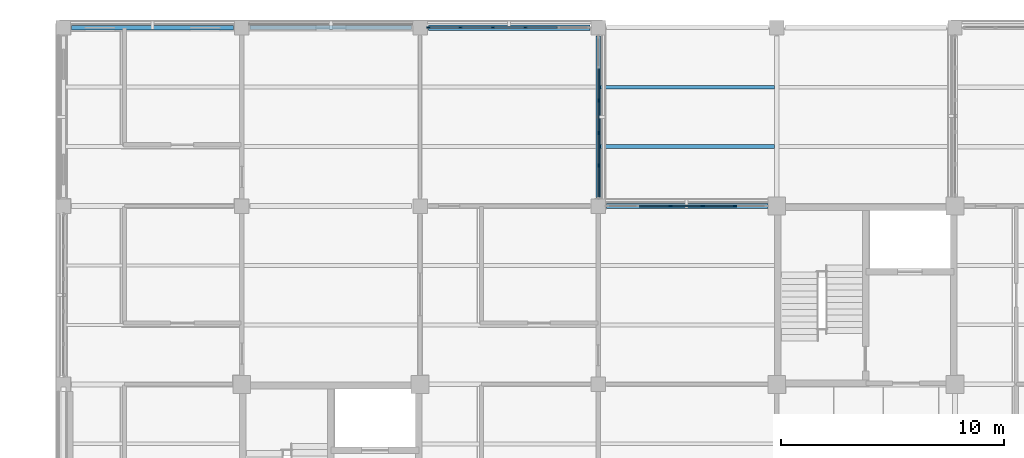
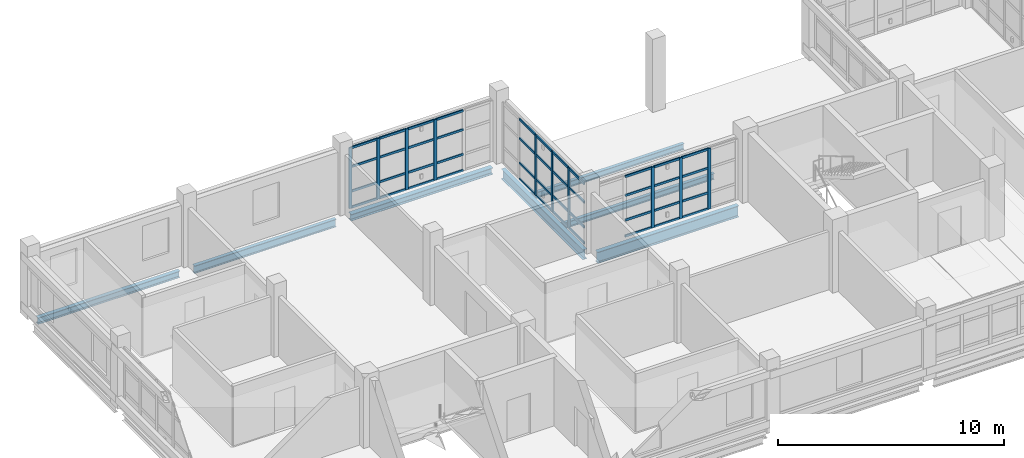
# One storey, part 36 of 126: 54 members, 7 beams, 3 elements without a shape of their own.
"""IFC4 building model written with IfcOpenShell, lengths in metres."""

from ifc_helpers import new_model, si_unit, derived_unit, direction, frame, origin, origin_2d, place, context, subcontext, project, spatial, rectangle, i_section, extrude, material, layer, layer_set, material_profile, profile_set, type_object, element, aggregate, save


model = new_model("IFC4")

# Units and contexts
model_context = context("Model", 3, precision=1e-05, world=origin(), true_north=direction((0.0, 1.0)))
body_context = subcontext(model_context, "Body", "Model", "MODEL_VIEW")
ifc_project = project(units=[si_unit("LENGTHUNIT", "METRE"), si_unit("AREAUNIT", "SQUARE_METRE"), si_unit("VOLUMEUNIT", "CUBIC_METRE"), si_unit("PLANEANGLEUNIT", "RADIAN"), si_unit("MASSUNIT", "GRAM", prefix="KILO"), derived_unit("THERMALTRANSMITTANCEUNIT", [(si_unit("MASSUNIT", "GRAM", prefix="KILO"), 1), (si_unit("TIMEUNIT", "SECOND"), -3), (si_unit("THERMODYNAMICTEMPERATUREUNIT", "KELVIN"), -1)])], contexts=[model_context])

# Site, building, storey
site_placement = place(None, origin())
site = spatial("IfcSite", under=ifc_project, at=site_placement, CompositionType="ELEMENT")
building_placement = place(site_placement, origin())
building = spatial("IfcBuilding", under=site, at=building_placement, Name="Veyamyaing Civic Hall", CompositionType="ELEMENT")
storey_placement = place(building_placement, frame((0.0, 0.0, 9.89990234375)))
storey = spatial("IfcBuildingStorey", under=building, at=storey_placement, Name="L02", CompositionType="ELEMENT", Elevation=9.89990234375)

# Beams
ifc_material_1 = material(Name="Steel ASTM A992", Category="steel")
ifc_material_profile_1 = material_profile(ifc_material_1, i_section(OverallWidth=0.22802734375, OverallDepth=0.60791015625, WebThickness=0.01123046875, FlangeThickness=0.017333984375, FilletRadius=0.012939453125, at=origin_2d()), Name="W610X113")
ifc_profile_set_1 = profile_set([ifc_material_profile_1], Name="Steel ASTM A992")
beam_type_1 = type_object("IfcBeamType", Name="B-06", PredefinedType="BEAM", material=ifc_profile_set_1)
beam_1_placement = place(storey_placement, frame((24.375, 104.0, -0.5888671875), z_axis=(1.0, 0.0, 0.0), x_axis=(0.0, 1.0, 0.0)))
element("IfcBeam", 1, at=beam_1_placement, inside=storey, type_object=beam_type_1, Name="Girder B-06 L02 Grid P 4-5", PredefinedType="BEAM", context=body_context, shape_type="SweptSolid", body=[
    extrude(i_section(OverallWidth=0.22802734375, OverallDepth=0.60791015625, WebThickness=0.01123046875, FlangeThickness=0.017333984375, FilletRadius=0.012939453125, at=origin_2d()), origin(), (0.0, 0.0, 1.0), 7.22509765625),
])
ifc_material_profile_2 = material_profile(ifc_material_1, i_section(OverallWidth=0.208984375, OverallDepth=0.532958984375, WebThickness=0.01025390625, FlangeThickness=0.015625, FilletRadius=0.011962890625, at=origin_2d()), Name="W530X92")
ifc_profile_set_2 = profile_set([ifc_material_profile_2], Name="Steel ASTM A992")
beam_type_2 = type_object("IfcBeamType", Name="B-07", PredefinedType="BEAM", material=ifc_profile_set_2)
beam_2_placement = place(storey_placement, frame((24.0, 104.375, -0.551513671875), z_axis=(0.0, 1.0, 0.0), x_axis=(-1.0, 0.0, 0.0)))
element("IfcBeam", 2, at=beam_2_placement, inside=storey, type_object=beam_type_2, Name="Girder B-07 L02 Grid 4 P-Q", PredefinedType="BEAM", context=body_context, shape_type="SweptSolid", body=[
    extrude(i_section(OverallWidth=0.208984375, OverallDepth=0.532958984375, WebThickness=0.01025390625, FlangeThickness=0.015625, FilletRadius=0.011962890625, at=origin_2d()), origin(), (0.0, 0.0, 1.0), 7.25),
])
ifc_material_profile_3 = material_profile(ifc_material_1, i_section(OverallWidth=0.2041015625, OverallDepth=0.35009765625, WebThickness=0.0078125, FlangeThickness=0.01513671875, FilletRadius=0.010009765625, at=origin_2d()), Name="W360X72")
ifc_profile_set_3 = profile_set([ifc_material_profile_3], Name="Steel ASTM A992")
beam_type_3 = type_object("IfcBeamType", Name="B-11", PredefinedType="SPANDREL", material=ifc_profile_set_3)
beam_3_placement = place(storey_placement, frame((0.375, 112.0, -0.4599609375), z_axis=(1.0, 0.0, 0.0), x_axis=(0.0, 1.0, 0.0)))
element("IfcBeam", 3, at=beam_3_placement, inside=storey, type_object=beam_type_3, Name="Girder B-11 L02 Grid Q 1-2", PredefinedType="SPANDREL", context=body_context, shape_type="SweptSolid", body=[
    extrude(i_section(OverallWidth=0.2041015625, OverallDepth=0.35009765625, WebThickness=0.0078125, FlangeThickness=0.01513671875, FilletRadius=0.010009765625, at=origin_2d()), origin(), (0.0, 0.0, 1.0), 7.25),
])
ifc_material_profile_4 = material_profile(ifc_material_1, i_section(OverallWidth=0.180908203125, OverallDepth=0.4169921875, WebThickness=0.010986328125, FlangeThickness=0.018310546875, FilletRadius=0.010009765625, at=origin_2d()), Name="W410X85")
ifc_profile_set_4 = profile_set([ifc_material_profile_4], Name="Steel ASTM A992")
beam_type_4 = type_object("IfcBeamType", Name="B-19", PredefinedType="SPANDREL", material=ifc_profile_set_4)
beam_4_placement = place(storey_placement, frame((8.375, 112.0, -0.493408203125), z_axis=(1.0, 0.0, 0.0), x_axis=(0.0, 1.0, 0.0)))
element("IfcBeam", 4, at=beam_4_placement, inside=storey, type_object=beam_type_4, Name="Girder B-19 L02 Grid Q 2-3", PredefinedType="SPANDREL", context=body_context, shape_type="SweptSolid", body=[
    extrude(i_section(OverallWidth=0.180908203125, OverallDepth=0.4169921875, WebThickness=0.010986328125, FlangeThickness=0.018310546875, FilletRadius=0.010009765625, at=origin_2d()), origin(), (0.0, 0.0, 1.0), 7.25),
])
ifc_material_profile_5 = material_profile(ifc_material_1, i_section(OverallWidth=0.25390625, OverallDepth=0.35302734375, WebThickness=0.009521484375, FlangeThickness=0.016357421875, FilletRadius=0.011962890625, at=origin_2d()), Name="W360X91")
ifc_profile_set_5 = profile_set([ifc_material_profile_5], Name="Steel ASTM A992")
beam_type_5 = type_object("IfcBeamType", Name="B-20", PredefinedType="SPANDREL", material=ifc_profile_set_5)
beam_5_placement = place(storey_placement, frame((16.375, 112.0, -0.46142578125), z_axis=(1.0, 0.0, 0.0), x_axis=(0.0, 1.0, 0.0)))
element("IfcBeam", 5, at=beam_5_placement, inside=storey, type_object=beam_type_5, Name="Girder B-20 L02 Grid Q 3-4", PredefinedType="SPANDREL", context=body_context, shape_type="SweptSolid", body=[
    extrude(i_section(OverallWidth=0.25390625, OverallDepth=0.35302734375, WebThickness=0.009521484375, FlangeThickness=0.016357421875, FilletRadius=0.011962890625, at=origin_2d()), origin(), (0.0, 0.0, 1.0), 7.25),
])

# Curtain wall, members
ifc_material_2 = material(Name="Anodised aluminium 6063-T6", Category="aluminium")
ifc_layer = layer(ifc_material_2, 0.159912109375, Name="Anodised aluminium 6063-T6")
ifc_layer_set = layer_set([ifc_layer], Name="Anodised aluminium 6063-T6")
curtain_wall_type = type_object("IfcCurtainWallType", Name="CW-03", PredefinedType="NOTDEFINED", material=ifc_layer_set)
curtain_wall_1_placement = place(storey_placement, origin())
curtain_wall_1 = element("IfcCurtainWall", 6, at=curtain_wall_1_placement, inside=storey, type_object=curtain_wall_type, Name="Unitized curtain wall CW-03 L02 N 3.14", PredefinedType="NOTDEFINED")
ifc_material_profile_6 = material_profile(ifc_material_2, rectangle(XDim=0.06494140625, YDim=0.159912109375, at=origin_2d()), Name="ALU-MUL-65X160")
ifc_profile_set_6 = profile_set([ifc_material_profile_6], Name="Anodised aluminium 6063-T6")
member_type_1 = type_object("IfcMemberType", Name="CWM-01", PredefinedType="MULLION", material=ifc_profile_set_6)
member_1_placement = place(storey_placement, frame((16.387451171875, 112.0, 0.0), z_axis=(0.0, 0.0, 1.0), x_axis=(0.0, 1.0, 0.0)))
member_1 = element("IfcMember", 7, at=member_1_placement, type_object=member_type_1, Name="CW-03 mullion 1", PredefinedType="MULLION", context=body_context, shape_type="SweptSolid", body=[
    extrude(rectangle(XDim=0.06494140625, YDim=0.159912109375, at=origin_2d()), origin(), (0.0, 0.0, 1.0), 3.2841796875),
])
member_2_placement = place(storey_placement, frame((17.81298828125, 112.0, 0.0), z_axis=(0.0, 0.0, 1.0), x_axis=(0.0, 1.0, 0.0)))
member_2 = element("IfcMember", 8, at=member_2_placement, type_object=member_type_1, Name="CW-03 mullion 2", PredefinedType="MULLION", context=body_context, shape_type="SweptSolid", body=[
    extrude(rectangle(XDim=0.06494140625, YDim=0.159912109375, at=origin_2d()), origin(), (0.0, 0.0, 1.0), 3.2841796875),
])
member_3_placement = place(storey_placement, frame((19.27099609375, 112.0, 0.0), z_axis=(0.0, 0.0, 1.0), x_axis=(0.0, 1.0, 0.0)))
member_3 = element("IfcMember", 9, at=member_3_placement, type_object=member_type_1, Name="CW-03 mullion 3", PredefinedType="MULLION", context=body_context, shape_type="SweptSolid", body=[
    extrude(rectangle(XDim=0.06494140625, YDim=0.159912109375, at=origin_2d()), origin(), (0.0, 0.0, 1.0), 3.2841796875),
])
member_4_placement = place(storey_placement, frame((20.72900390625, 112.0, 0.0), z_axis=(0.0, 0.0, 1.0), x_axis=(0.0, 1.0, 0.0)))
member_4 = element("IfcMember", 10, at=member_4_placement, type_object=member_type_1, Name="CW-03 mullion 4", PredefinedType="MULLION", context=body_context, shape_type="SweptSolid", body=[
    extrude(rectangle(XDim=0.06494140625, YDim=0.159912109375, at=origin_2d()), origin(), (0.0, 0.0, 1.0), 3.2841796875),
])

curtain_wall_2_placement = place(storey_placement, origin())
curtain_wall_2 = element("IfcCurtainWall", 11, at=curtain_wall_2_placement, inside=storey, type_object=curtain_wall_type, Name="Unitized curtain wall CW-03 L02 E 3.14", PredefinedType="NOTDEFINED")
member_5_placement = place(storey_placement, frame((24.0, 105.81298828125, 0.0), z_axis=(0.0, 0.0, 1.0), x_axis=(-1.0, 0.0, 0.0)))
member_5 = element("IfcMember", 12, at=member_5_placement, type_object=member_type_1, Name="CW-03 mullion 2", PredefinedType="MULLION", context=body_context, shape_type="SweptSolid", body=[
    extrude(rectangle(XDim=0.06494140625, YDim=0.159912109375, at=origin_2d()), origin(), (0.0, 0.0, 1.0), 3.2841796875),
])
member_6_placement = place(storey_placement, frame((24.0, 107.27099609375, 0.0), z_axis=(0.0, 0.0, 1.0), x_axis=(-1.0, 0.0, 0.0)))
member_6 = element("IfcMember", 13, at=member_6_placement, type_object=member_type_1, Name="CW-03 mullion 3", PredefinedType="MULLION", context=body_context, shape_type="SweptSolid", body=[
    extrude(rectangle(XDim=0.06494140625, YDim=0.159912109375, at=origin_2d()), origin(), (0.0, 0.0, 1.0), 3.2841796875),
])
member_7_placement = place(storey_placement, frame((24.0, 108.72900390625, 0.0), z_axis=(0.0, 0.0, 1.0), x_axis=(-1.0, 0.0, 0.0)))
member_7 = element("IfcMember", 14, at=member_7_placement, type_object=member_type_1, Name="CW-03 mullion 4", PredefinedType="MULLION", context=body_context, shape_type="SweptSolid", body=[
    extrude(rectangle(XDim=0.06494140625, YDim=0.159912109375, at=origin_2d()), origin(), (0.0, 0.0, 1.0), 3.2841796875),
])

curtain_wall_3_placement = place(storey_placement, origin())
curtain_wall_3 = element("IfcCurtainWall", 15, at=curtain_wall_3_placement, inside=storey, type_object=curtain_wall_type, Name="Unitized curtain wall CW-03 L02 N 4.13", PredefinedType="NOTDEFINED")
member_8_placement = place(storey_placement, frame((27.240966796875, 104.0, 0.0), z_axis=(0.0, 0.0, 1.0), x_axis=(0.0, 1.0, 0.0)))
member_8 = element("IfcMember", 16, at=member_8_placement, type_object=member_type_1, Name="CW-03 mullion 3", PredefinedType="MULLION", context=body_context, shape_type="SweptSolid", body=[
    extrude(rectangle(XDim=0.06494140625, YDim=0.159912109375, at=origin_2d()), origin(), (0.0, 0.0, 1.0), 3.2841796875),
])
member_9_placement = place(storey_placement, frame((28.68408203125, 104.0, 0.0), z_axis=(0.0, 0.0, 1.0), x_axis=(0.0, 1.0, 0.0)))
member_9 = element("IfcMember", 17, at=member_9_placement, type_object=member_type_1, Name="CW-03 mullion 4", PredefinedType="MULLION", context=body_context, shape_type="SweptSolid", body=[
    extrude(rectangle(XDim=0.06494140625, YDim=0.159912109375, at=origin_2d()), origin(), (0.0, 0.0, 1.0), 3.2841796875),
])
member_10_placement = place(storey_placement, frame((30.126953125, 104.0, 0.0), z_axis=(0.0, 0.0, 1.0), x_axis=(0.0, 1.0, 0.0)))
member_10 = element("IfcMember", 18, at=member_10_placement, type_object=member_type_1, Name="CW-03 mullion 5", PredefinedType="MULLION", context=body_context, shape_type="SweptSolid", body=[
    extrude(rectangle(XDim=0.06494140625, YDim=0.159912109375, at=origin_2d()), origin(), (0.0, 0.0, 1.0), 3.2841796875),
])

# Member
ifc_material_profile_7 = material_profile(ifc_material_2, rectangle(XDim=0.06494140625, YDim=0.1201171875, at=origin_2d()), Name="ALU-TRN-65X120")
ifc_profile_set_7 = profile_set([ifc_material_profile_7], Name="Anodised aluminium 6063-T6")
member_type_2 = type_object("IfcMemberType", Name="CWT-01", PredefinedType="USERDEFINED", material=ifc_profile_set_7)
member_11_placement = place(storey_placement, frame((16.419921875, 112.0, 0.03271484375), z_axis=(1.0, 0.0, 0.0), x_axis=(0.0, 1.0, 0.0)))
member_11 = element("IfcMember", 19, at=member_11_placement, type_object=member_type_2, Name="CW-03 transom 1.1", ObjectType="TRANSOM", PredefinedType="USERDEFINED", context=body_context, shape_type="SweptSolid", body=[
    extrude(rectangle(XDim=0.06494140625, YDim=0.1201171875, at=origin_2d()), origin(), (0.0, 0.0, 1.0), 1.360595703125),
])

member_12_placement = place(storey_placement, frame((16.419921875, 112.0, 0.900146484375), z_axis=(1.0, 0.0, 0.0), x_axis=(0.0, 1.0, 0.0)))
member_12 = element("IfcMember", 20, at=member_12_placement, type_object=member_type_2, Name="CW-03 transom 1.2", ObjectType="TRANSOM", PredefinedType="USERDEFINED", context=body_context, shape_type="SweptSolid", body=[
    extrude(rectangle(XDim=0.06494140625, YDim=0.1201171875, at=origin_2d()), origin(), (0.0, 0.0, 1.0), 1.360595703125),
])

member_13_placement = place(storey_placement, frame((16.419921875, 112.0, 2.233154296875), z_axis=(1.0, 0.0, 0.0), x_axis=(0.0, 1.0, 0.0)))
member_13 = element("IfcMember", 21, at=member_13_placement, type_object=member_type_2, Name="CW-03 transom 1.3", ObjectType="TRANSOM", PredefinedType="USERDEFINED", context=body_context, shape_type="SweptSolid", body=[
    extrude(rectangle(XDim=0.06494140625, YDim=0.1201171875, at=origin_2d()), origin(), (0.0, 0.0, 1.0), 1.360595703125),
])

member_14_placement = place(storey_placement, frame((16.419921875, 112.0, 3.251708984375), z_axis=(1.0, 0.0, 0.0), x_axis=(0.0, 1.0, 0.0)))
member_14 = element("IfcMember", 22, at=member_14_placement, type_object=member_type_2, Name="CW-03 transom 1.4", ObjectType="TRANSOM", PredefinedType="USERDEFINED", context=body_context, shape_type="SweptSolid", body=[
    extrude(rectangle(XDim=0.06494140625, YDim=0.1201171875, at=origin_2d()), origin(), (0.0, 0.0, 1.0), 1.360595703125),
])

member_15_placement = place(storey_placement, frame((17.845458984375, 112.0, 0.03271484375), z_axis=(1.0, 0.0, 0.0), x_axis=(0.0, 1.0, 0.0)))
member_15 = element("IfcMember", 23, at=member_15_placement, type_object=member_type_2, Name="CW-03 transom 2.1", ObjectType="TRANSOM", PredefinedType="USERDEFINED", context=body_context, shape_type="SweptSolid", body=[
    extrude(rectangle(XDim=0.06494140625, YDim=0.1201171875, at=origin_2d()), origin(), (0.0, 0.0, 1.0), 1.39306640625),
])

member_16_placement = place(storey_placement, frame((17.845458984375, 112.0, 0.900146484375), z_axis=(1.0, 0.0, 0.0), x_axis=(0.0, 1.0, 0.0)))
member_16 = element("IfcMember", 24, at=member_16_placement, type_object=member_type_2, Name="CW-03 transom 2.2", ObjectType="TRANSOM", PredefinedType="USERDEFINED", context=body_context, shape_type="SweptSolid", body=[
    extrude(rectangle(XDim=0.06494140625, YDim=0.1201171875, at=origin_2d()), origin(), (0.0, 0.0, 1.0), 1.39306640625),
])

member_17_placement = place(storey_placement, frame((17.845458984375, 112.0, 2.233154296875), z_axis=(1.0, 0.0, 0.0), x_axis=(0.0, 1.0, 0.0)))
member_17 = element("IfcMember", 25, at=member_17_placement, type_object=member_type_2, Name="CW-03 transom 2.3", ObjectType="TRANSOM", PredefinedType="USERDEFINED", context=body_context, shape_type="SweptSolid", body=[
    extrude(rectangle(XDim=0.06494140625, YDim=0.1201171875, at=origin_2d()), origin(), (0.0, 0.0, 1.0), 1.39306640625),
])

member_18_placement = place(storey_placement, frame((17.845458984375, 112.0, 3.251708984375), z_axis=(1.0, 0.0, 0.0), x_axis=(0.0, 1.0, 0.0)))
member_18 = element("IfcMember", 26, at=member_18_placement, type_object=member_type_2, Name="CW-03 transom 2.4", ObjectType="TRANSOM", PredefinedType="USERDEFINED", context=body_context, shape_type="SweptSolid", body=[
    extrude(rectangle(XDim=0.06494140625, YDim=0.1201171875, at=origin_2d()), origin(), (0.0, 0.0, 1.0), 1.39306640625),
])

member_19_placement = place(storey_placement, frame((19.303466796875, 112.0, 0.03271484375), z_axis=(1.0, 0.0, 0.0), x_axis=(0.0, 1.0, 0.0)))
member_19 = element("IfcMember", 27, at=member_19_placement, type_object=member_type_2, Name="CW-03 transom 3.1", ObjectType="TRANSOM", PredefinedType="USERDEFINED", context=body_context, shape_type="SweptSolid", body=[
    extrude(rectangle(XDim=0.06494140625, YDim=0.1201171875, at=origin_2d()), origin(), (0.0, 0.0, 1.0), 1.39306640625),
])

member_20_placement = place(storey_placement, frame((19.303466796875, 112.0, 0.900146484375), z_axis=(1.0, 0.0, 0.0), x_axis=(0.0, 1.0, 0.0)))
member_20 = element("IfcMember", 28, at=member_20_placement, type_object=member_type_2, Name="CW-03 transom 3.2", ObjectType="TRANSOM", PredefinedType="USERDEFINED", context=body_context, shape_type="SweptSolid", body=[
    extrude(rectangle(XDim=0.06494140625, YDim=0.1201171875, at=origin_2d()), origin(), (0.0, 0.0, 1.0), 1.39306640625),
])

member_21_placement = place(storey_placement, frame((19.303466796875, 112.0, 2.233154296875), z_axis=(1.0, 0.0, 0.0), x_axis=(0.0, 1.0, 0.0)))
member_21 = element("IfcMember", 29, at=member_21_placement, type_object=member_type_2, Name="CW-03 transom 3.3", ObjectType="TRANSOM", PredefinedType="USERDEFINED", context=body_context, shape_type="SweptSolid", body=[
    extrude(rectangle(XDim=0.06494140625, YDim=0.1201171875, at=origin_2d()), origin(), (0.0, 0.0, 1.0), 1.39306640625),
])

member_22_placement = place(storey_placement, frame((19.303466796875, 112.0, 3.251708984375), z_axis=(1.0, 0.0, 0.0), x_axis=(0.0, 1.0, 0.0)))
member_22 = element("IfcMember", 30, at=member_22_placement, type_object=member_type_2, Name="CW-03 transom 3.4", ObjectType="TRANSOM", PredefinedType="USERDEFINED", context=body_context, shape_type="SweptSolid", body=[
    extrude(rectangle(XDim=0.06494140625, YDim=0.1201171875, at=origin_2d()), origin(), (0.0, 0.0, 1.0), 1.39306640625),
])

member_23_placement = place(storey_placement, frame((20.761474609375, 112.0, 0.03271484375), z_axis=(1.0, 0.0, 0.0), x_axis=(0.0, 1.0, 0.0)))
member_23 = element("IfcMember", 31, at=member_23_placement, type_object=member_type_2, Name="CW-03 transom 4.1", ObjectType="TRANSOM", PredefinedType="USERDEFINED", context=body_context, shape_type="SweptSolid", body=[
    extrude(rectangle(XDim=0.06494140625, YDim=0.1201171875, at=origin_2d()), origin(), (0.0, 0.0, 1.0), 1.39306640625),
])

member_24_placement = place(storey_placement, frame((20.761474609375, 112.0, 0.900146484375), z_axis=(1.0, 0.0, 0.0), x_axis=(0.0, 1.0, 0.0)))
member_24 = element("IfcMember", 32, at=member_24_placement, type_object=member_type_2, Name="CW-03 transom 4.2", ObjectType="TRANSOM", PredefinedType="USERDEFINED", context=body_context, shape_type="SweptSolid", body=[
    extrude(rectangle(XDim=0.06494140625, YDim=0.1201171875, at=origin_2d()), origin(), (0.0, 0.0, 1.0), 1.39306640625),
])

member_25_placement = place(storey_placement, frame((20.761474609375, 112.0, 2.233154296875), z_axis=(1.0, 0.0, 0.0), x_axis=(0.0, 1.0, 0.0)))
member_25 = element("IfcMember", 33, at=member_25_placement, type_object=member_type_2, Name="CW-03 transom 4.3", ObjectType="TRANSOM", PredefinedType="USERDEFINED", context=body_context, shape_type="SweptSolid", body=[
    extrude(rectangle(XDim=0.06494140625, YDim=0.1201171875, at=origin_2d()), origin(), (0.0, 0.0, 1.0), 1.39306640625),
])

member_26_placement = place(storey_placement, frame((20.761474609375, 112.0, 3.251708984375), z_axis=(1.0, 0.0, 0.0), x_axis=(0.0, 1.0, 0.0)))
member_26 = element("IfcMember", 34, at=member_26_placement, type_object=member_type_2, Name="CW-03 transom 4.4", ObjectType="TRANSOM", PredefinedType="USERDEFINED", context=body_context, shape_type="SweptSolid", body=[
    extrude(rectangle(XDim=0.06494140625, YDim=0.1201171875, at=origin_2d()), origin(), (0.0, 0.0, 1.0), 1.39306640625),
])

aggregate(curtain_wall_1, [member_1, member_2, member_3, member_4, member_11, member_12, member_13, member_14, member_15, member_16, member_17, member_18, member_19, member_20, member_21, member_22, member_23, member_24, member_25, member_26])

member_27_placement = place(storey_placement, frame((24.0, 104.419921875, 0.03271484375), z_axis=(0.0, 1.0, 0.0), x_axis=(-1.0, 0.0, 0.0)))
member_27 = element("IfcMember", 35, at=member_27_placement, type_object=member_type_2, Name="CW-03 transom 1.1", ObjectType="TRANSOM", PredefinedType="USERDEFINED", context=body_context, shape_type="SweptSolid", body=[
    extrude(rectangle(XDim=0.06494140625, YDim=0.1201171875, at=origin_2d()), origin(), (0.0, 0.0, 1.0), 1.360595703125),
])

member_28_placement = place(storey_placement, frame((24.0, 104.419921875, 0.900146484375), z_axis=(0.0, 1.0, 0.0), x_axis=(-1.0, 0.0, 0.0)))
member_28 = element("IfcMember", 36, at=member_28_placement, type_object=member_type_2, Name="CW-03 transom 1.2", ObjectType="TRANSOM", PredefinedType="USERDEFINED", context=body_context, shape_type="SweptSolid", body=[
    extrude(rectangle(XDim=0.06494140625, YDim=0.1201171875, at=origin_2d()), origin(), (0.0, 0.0, 1.0), 1.360595703125),
])

member_29_placement = place(storey_placement, frame((24.0, 104.419921875, 2.233154296875), z_axis=(0.0, 1.0, 0.0), x_axis=(-1.0, 0.0, 0.0)))
member_29 = element("IfcMember", 37, at=member_29_placement, type_object=member_type_2, Name="CW-03 transom 1.3", ObjectType="TRANSOM", PredefinedType="USERDEFINED", context=body_context, shape_type="SweptSolid", body=[
    extrude(rectangle(XDim=0.06494140625, YDim=0.1201171875, at=origin_2d()), origin(), (0.0, 0.0, 1.0), 1.360595703125),
])

member_30_placement = place(storey_placement, frame((24.0, 104.419921875, 3.251708984375), z_axis=(0.0, 1.0, 0.0), x_axis=(-1.0, 0.0, 0.0)))
member_30 = element("IfcMember", 38, at=member_30_placement, type_object=member_type_2, Name="CW-03 transom 1.4", ObjectType="TRANSOM", PredefinedType="USERDEFINED", context=body_context, shape_type="SweptSolid", body=[
    extrude(rectangle(XDim=0.06494140625, YDim=0.1201171875, at=origin_2d()), origin(), (0.0, 0.0, 1.0), 1.360595703125),
])

member_31_placement = place(storey_placement, frame((24.0, 105.845458984375, 0.03271484375), z_axis=(0.0, 1.0, 0.0), x_axis=(-1.0, 0.0, 0.0)))
member_31 = element("IfcMember", 39, at=member_31_placement, type_object=member_type_2, Name="CW-03 transom 2.1", ObjectType="TRANSOM", PredefinedType="USERDEFINED", context=body_context, shape_type="SweptSolid", body=[
    extrude(rectangle(XDim=0.06494140625, YDim=0.1201171875, at=origin_2d()), origin(), (0.0, 0.0, 1.0), 1.39306640625),
])

member_32_placement = place(storey_placement, frame((24.0, 105.845458984375, 0.900146484375), z_axis=(0.0, 1.0, 0.0), x_axis=(-1.0, 0.0, 0.0)))
member_32 = element("IfcMember", 40, at=member_32_placement, type_object=member_type_2, Name="CW-03 transom 2.2", ObjectType="TRANSOM", PredefinedType="USERDEFINED", context=body_context, shape_type="SweptSolid", body=[
    extrude(rectangle(XDim=0.06494140625, YDim=0.1201171875, at=origin_2d()), origin(), (0.0, 0.0, 1.0), 1.39306640625),
])

member_33_placement = place(storey_placement, frame((24.0, 105.845458984375, 2.233154296875), z_axis=(0.0, 1.0, 0.0), x_axis=(-1.0, 0.0, 0.0)))
member_33 = element("IfcMember", 41, at=member_33_placement, type_object=member_type_2, Name="CW-03 transom 2.3", ObjectType="TRANSOM", PredefinedType="USERDEFINED", context=body_context, shape_type="SweptSolid", body=[
    extrude(rectangle(XDim=0.06494140625, YDim=0.1201171875, at=origin_2d()), origin(), (0.0, 0.0, 1.0), 1.39306640625),
])

member_34_placement = place(storey_placement, frame((24.0, 105.845458984375, 3.251708984375), z_axis=(0.0, 1.0, 0.0), x_axis=(-1.0, 0.0, 0.0)))
member_34 = element("IfcMember", 42, at=member_34_placement, type_object=member_type_2, Name="CW-03 transom 2.4", ObjectType="TRANSOM", PredefinedType="USERDEFINED", context=body_context, shape_type="SweptSolid", body=[
    extrude(rectangle(XDim=0.06494140625, YDim=0.1201171875, at=origin_2d()), origin(), (0.0, 0.0, 1.0), 1.39306640625),
])

member_35_placement = place(storey_placement, frame((24.0, 107.303466796875, 0.03271484375), z_axis=(0.0, 1.0, 0.0), x_axis=(-1.0, 0.0, 0.0)))
member_35 = element("IfcMember", 43, at=member_35_placement, type_object=member_type_2, Name="CW-03 transom 3.1", ObjectType="TRANSOM", PredefinedType="USERDEFINED", context=body_context, shape_type="SweptSolid", body=[
    extrude(rectangle(XDim=0.06494140625, YDim=0.1201171875, at=origin_2d()), origin(), (0.0, 0.0, 1.0), 1.39306640625),
])

member_36_placement = place(storey_placement, frame((24.0, 107.303466796875, 0.900146484375), z_axis=(0.0, 1.0, 0.0), x_axis=(-1.0, 0.0, 0.0)))
member_36 = element("IfcMember", 44, at=member_36_placement, type_object=member_type_2, Name="CW-03 transom 3.2", ObjectType="TRANSOM", PredefinedType="USERDEFINED", context=body_context, shape_type="SweptSolid", body=[
    extrude(rectangle(XDim=0.06494140625, YDim=0.1201171875, at=origin_2d()), origin(), (0.0, 0.0, 1.0), 1.39306640625),
])

member_37_placement = place(storey_placement, frame((24.0, 107.303466796875, 2.233154296875), z_axis=(0.0, 1.0, 0.0), x_axis=(-1.0, 0.0, 0.0)))
member_37 = element("IfcMember", 45, at=member_37_placement, type_object=member_type_2, Name="CW-03 transom 3.3", ObjectType="TRANSOM", PredefinedType="USERDEFINED", context=body_context, shape_type="SweptSolid", body=[
    extrude(rectangle(XDim=0.06494140625, YDim=0.1201171875, at=origin_2d()), origin(), (0.0, 0.0, 1.0), 1.39306640625),
])

member_38_placement = place(storey_placement, frame((24.0, 107.303466796875, 3.251708984375), z_axis=(0.0, 1.0, 0.0), x_axis=(-1.0, 0.0, 0.0)))
member_38 = element("IfcMember", 46, at=member_38_placement, type_object=member_type_2, Name="CW-03 transom 3.4", ObjectType="TRANSOM", PredefinedType="USERDEFINED", context=body_context, shape_type="SweptSolid", body=[
    extrude(rectangle(XDim=0.06494140625, YDim=0.1201171875, at=origin_2d()), origin(), (0.0, 0.0, 1.0), 1.39306640625),
])

member_39_placement = place(storey_placement, frame((24.0, 108.761474609375, 0.03271484375), z_axis=(0.0, 1.0, 0.0), x_axis=(-1.0, 0.0, 0.0)))
member_39 = element("IfcMember", 47, at=member_39_placement, type_object=member_type_2, Name="CW-03 transom 4.1", ObjectType="TRANSOM", PredefinedType="USERDEFINED", context=body_context, shape_type="SweptSolid", body=[
    extrude(rectangle(XDim=0.06494140625, YDim=0.1201171875, at=origin_2d()), origin(), (0.0, 0.0, 1.0), 1.39306640625),
])

member_40_placement = place(storey_placement, frame((24.0, 108.761474609375, 0.900146484375), z_axis=(0.0, 1.0, 0.0), x_axis=(-1.0, 0.0, 0.0)))
member_40 = element("IfcMember", 48, at=member_40_placement, type_object=member_type_2, Name="CW-03 transom 4.2", ObjectType="TRANSOM", PredefinedType="USERDEFINED", context=body_context, shape_type="SweptSolid", body=[
    extrude(rectangle(XDim=0.06494140625, YDim=0.1201171875, at=origin_2d()), origin(), (0.0, 0.0, 1.0), 1.39306640625),
])

member_41_placement = place(storey_placement, frame((24.0, 108.761474609375, 2.233154296875), z_axis=(0.0, 1.0, 0.0), x_axis=(-1.0, 0.0, 0.0)))
member_41 = element("IfcMember", 49, at=member_41_placement, type_object=member_type_2, Name="CW-03 transom 4.3", ObjectType="TRANSOM", PredefinedType="USERDEFINED", context=body_context, shape_type="SweptSolid", body=[
    extrude(rectangle(XDim=0.06494140625, YDim=0.1201171875, at=origin_2d()), origin(), (0.0, 0.0, 1.0), 1.39306640625),
])

member_42_placement = place(storey_placement, frame((24.0, 108.761474609375, 3.251708984375), z_axis=(0.0, 1.0, 0.0), x_axis=(-1.0, 0.0, 0.0)))
member_42 = element("IfcMember", 50, at=member_42_placement, type_object=member_type_2, Name="CW-03 transom 4.4", ObjectType="TRANSOM", PredefinedType="USERDEFINED", context=body_context, shape_type="SweptSolid", body=[
    extrude(rectangle(XDim=0.06494140625, YDim=0.1201171875, at=origin_2d()), origin(), (0.0, 0.0, 1.0), 1.39306640625),
])

aggregate(curtain_wall_2, [member_5, member_6, member_7, member_27, member_28, member_29, member_30, member_31, member_32, member_33, member_34, member_35, member_36, member_37, member_38, member_39, member_40, member_41, member_42])

member_43_placement = place(storey_placement, frame((25.83056640625, 104.0, 0.03271484375), z_axis=(1.0, 0.0, 0.0), x_axis=(0.0, 1.0, 0.0)))
member_43 = element("IfcMember", 51, at=member_43_placement, type_object=member_type_2, Name="CW-03 transom 2.1", ObjectType="TRANSOM", PredefinedType="USERDEFINED", context=body_context, shape_type="SweptSolid", body=[
    extrude(rectangle(XDim=0.06494140625, YDim=0.1201171875, at=origin_2d()), origin(), (0.0, 0.0, 1.0), 1.3779296875),
])

member_44_placement = place(storey_placement, frame((25.83056640625, 104.0, 0.900146484375), z_axis=(1.0, 0.0, 0.0), x_axis=(0.0, 1.0, 0.0)))
member_44 = element("IfcMember", 52, at=member_44_placement, type_object=member_type_2, Name="CW-03 transom 2.2", ObjectType="TRANSOM", PredefinedType="USERDEFINED", context=body_context, shape_type="SweptSolid", body=[
    extrude(rectangle(XDim=0.06494140625, YDim=0.1201171875, at=origin_2d()), origin(), (0.0, 0.0, 1.0), 1.3779296875),
])

member_45_placement = place(storey_placement, frame((25.83056640625, 104.0, 2.233154296875), z_axis=(1.0, 0.0, 0.0), x_axis=(0.0, 1.0, 0.0)))
member_45 = element("IfcMember", 53, at=member_45_placement, type_object=member_type_2, Name="CW-03 transom 2.3", ObjectType="TRANSOM", PredefinedType="USERDEFINED", context=body_context, shape_type="SweptSolid", body=[
    extrude(rectangle(XDim=0.06494140625, YDim=0.1201171875, at=origin_2d()), origin(), (0.0, 0.0, 1.0), 1.3779296875),
])

member_46_placement = place(storey_placement, frame((25.83056640625, 104.0, 3.251708984375), z_axis=(1.0, 0.0, 0.0), x_axis=(0.0, 1.0, 0.0)))
member_46 = element("IfcMember", 54, at=member_46_placement, type_object=member_type_2, Name="CW-03 transom 2.4", ObjectType="TRANSOM", PredefinedType="USERDEFINED", context=body_context, shape_type="SweptSolid", body=[
    extrude(rectangle(XDim=0.06494140625, YDim=0.1201171875, at=origin_2d()), origin(), (0.0, 0.0, 1.0), 1.3779296875),
])

member_47_placement = place(storey_placement, frame((27.2734375, 104.0, 0.03271484375), z_axis=(1.0, 0.0, 0.0), x_axis=(0.0, 1.0, 0.0)))
member_47 = element("IfcMember", 55, at=member_47_placement, type_object=member_type_2, Name="CW-03 transom 3.1", ObjectType="TRANSOM", PredefinedType="USERDEFINED", context=body_context, shape_type="SweptSolid", body=[
    extrude(rectangle(XDim=0.06494140625, YDim=0.1201171875, at=origin_2d()), origin(), (0.0, 0.0, 1.0), 1.378173828125),
])

member_48_placement = place(storey_placement, frame((27.2734375, 104.0, 0.900146484375), z_axis=(1.0, 0.0, 0.0), x_axis=(0.0, 1.0, 0.0)))
member_48 = element("IfcMember", 56, at=member_48_placement, type_object=member_type_2, Name="CW-03 transom 3.2", ObjectType="TRANSOM", PredefinedType="USERDEFINED", context=body_context, shape_type="SweptSolid", body=[
    extrude(rectangle(XDim=0.06494140625, YDim=0.1201171875, at=origin_2d()), origin(), (0.0, 0.0, 1.0), 1.378173828125),
])

member_49_placement = place(storey_placement, frame((27.2734375, 104.0, 2.233154296875), z_axis=(1.0, 0.0, 0.0), x_axis=(0.0, 1.0, 0.0)))
member_49 = element("IfcMember", 57, at=member_49_placement, type_object=member_type_2, Name="CW-03 transom 3.3", ObjectType="TRANSOM", PredefinedType="USERDEFINED", context=body_context, shape_type="SweptSolid", body=[
    extrude(rectangle(XDim=0.06494140625, YDim=0.1201171875, at=origin_2d()), origin(), (0.0, 0.0, 1.0), 1.378173828125),
])

member_50_placement = place(storey_placement, frame((27.2734375, 104.0, 3.251708984375), z_axis=(1.0, 0.0, 0.0), x_axis=(0.0, 1.0, 0.0)))
member_50 = element("IfcMember", 58, at=member_50_placement, type_object=member_type_2, Name="CW-03 transom 3.4", ObjectType="TRANSOM", PredefinedType="USERDEFINED", context=body_context, shape_type="SweptSolid", body=[
    extrude(rectangle(XDim=0.06494140625, YDim=0.1201171875, at=origin_2d()), origin(), (0.0, 0.0, 1.0), 1.378173828125),
])

member_51_placement = place(storey_placement, frame((28.716552734375, 104.0, 0.03271484375), z_axis=(1.0, 0.0, 0.0), x_axis=(0.0, 1.0, 0.0)))
member_51 = element("IfcMember", 59, at=member_51_placement, type_object=member_type_2, Name="CW-03 transom 4.1", ObjectType="TRANSOM", PredefinedType="USERDEFINED", context=body_context, shape_type="SweptSolid", body=[
    extrude(rectangle(XDim=0.06494140625, YDim=0.1201171875, at=origin_2d()), origin(), (0.0, 0.0, 1.0), 1.3779296875),
])

member_52_placement = place(storey_placement, frame((28.716552734375, 104.0, 0.900146484375), z_axis=(1.0, 0.0, 0.0), x_axis=(0.0, 1.0, 0.0)))
member_52 = element("IfcMember", 60, at=member_52_placement, type_object=member_type_2, Name="CW-03 transom 4.2", ObjectType="TRANSOM", PredefinedType="USERDEFINED", context=body_context, shape_type="SweptSolid", body=[
    extrude(rectangle(XDim=0.06494140625, YDim=0.1201171875, at=origin_2d()), origin(), (0.0, 0.0, 1.0), 1.3779296875),
])

member_53_placement = place(storey_placement, frame((28.716552734375, 104.0, 2.233154296875), z_axis=(1.0, 0.0, 0.0), x_axis=(0.0, 1.0, 0.0)))
member_53 = element("IfcMember", 61, at=member_53_placement, type_object=member_type_2, Name="CW-03 transom 4.3", ObjectType="TRANSOM", PredefinedType="USERDEFINED", context=body_context, shape_type="SweptSolid", body=[
    extrude(rectangle(XDim=0.06494140625, YDim=0.1201171875, at=origin_2d()), origin(), (0.0, 0.0, 1.0), 1.3779296875),
])

member_54_placement = place(storey_placement, frame((28.716552734375, 104.0, 3.251708984375), z_axis=(1.0, 0.0, 0.0), x_axis=(0.0, 1.0, 0.0)))
member_54 = element("IfcMember", 62, at=member_54_placement, type_object=member_type_2, Name="CW-03 transom 4.4", ObjectType="TRANSOM", PredefinedType="USERDEFINED", context=body_context, shape_type="SweptSolid", body=[
    extrude(rectangle(XDim=0.06494140625, YDim=0.1201171875, at=origin_2d()), origin(), (0.0, 0.0, 1.0), 1.3779296875),
])

aggregate(curtain_wall_3, [member_8, member_9, member_10, member_43, member_44, member_45, member_46, member_47, member_48, member_49, member_50, member_51, member_52, member_53, member_54])

# Beams
ifc_material_profile_8 = material_profile(ifc_material_1, i_section(OverallWidth=0.1669921875, OverallDepth=0.318115234375, WebThickness=0.007568359375, FlangeThickness=0.01318359375, FilletRadius=0.010009765625, at=origin_2d()), Name="W310X52")
ifc_profile_set_8 = profile_set([ifc_material_profile_8], Name="Steel ASTM A992")
beam_type_6 = type_object("IfcBeamType", Name="J-04", PredefinedType="JOIST", material=ifc_profile_set_8)
for number, where, z_axis, x_axis, name in (
    (63, (24.1025390625, 106.666748046875, -0.44384765625), (1.0, 0.0, 0.0), (0.0, 1.0, 0.0), "Composite floor joist J-04 L02 4.14.1"),
    (64, (24.1025390625, 109.333251953125, -0.44384765625), (1.0, 0.0, 0.0), (0.0, 1.0, 0.0), "Composite floor joist J-04 L02 4.14.2"),
):
    element("IfcBeam", number, at=place(storey_placement, frame(where, z_axis=z_axis, x_axis=x_axis)), inside=storey, type_object=beam_type_6, Name=name, PredefinedType="JOIST", context=body_context, shape_type="SweptSolid", body=[
        extrude(i_section(OverallWidth=0.1669921875, OverallDepth=0.318115234375, WebThickness=0.007568359375, FlangeThickness=0.01318359375, FilletRadius=0.010009765625, at=origin_2d()), origin(), (0.0, 0.0, 1.0), 7.803466796875),
    ])

save(model, "model.ifc")
